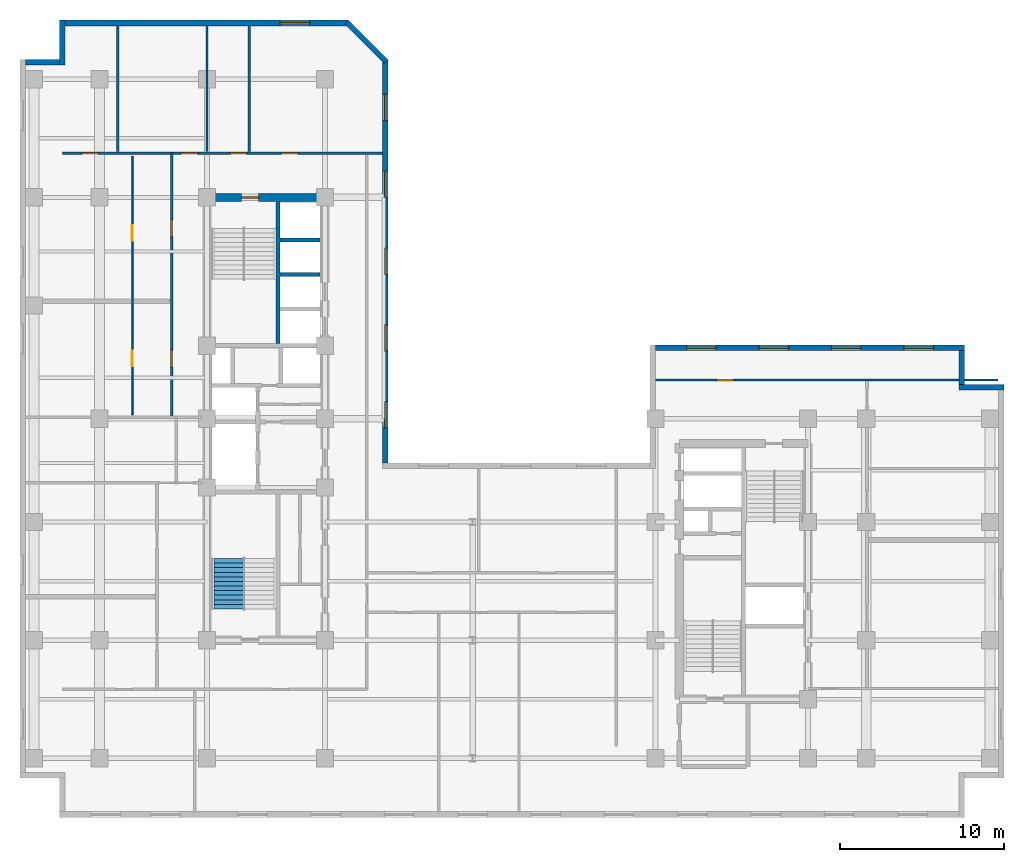
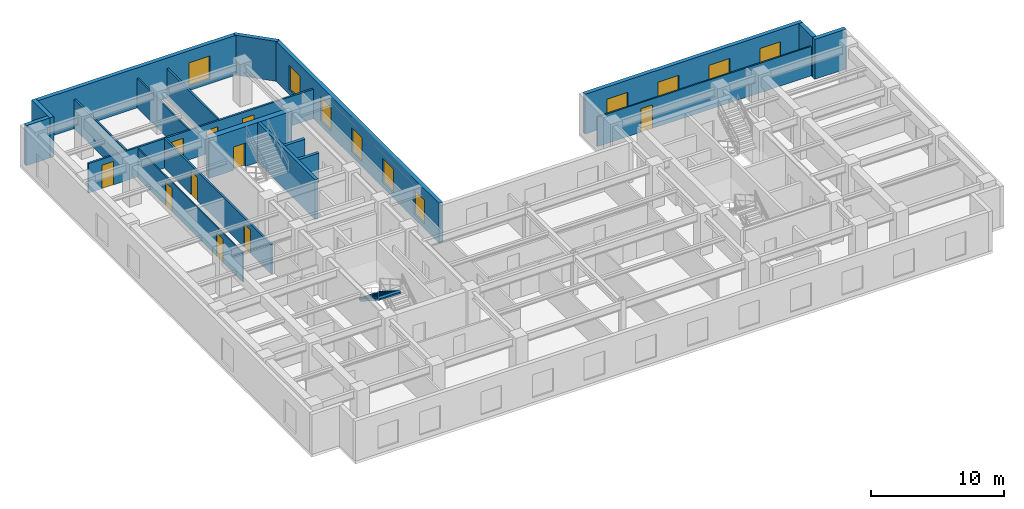
# One storey, part 6 of 10: 19 walls, 10 doors, 10 windows, 1 stair flight, 20 openings, 1 element without a shape of its own.
"""IFC4 building model written with IfcOpenShell, lengths in metres."""

from ifc_helpers import new_model, entity, si_unit, converted_unit, direction, frame, origin_with_axes, origin_2d_with_axis, place, context, subcontext, project, spatial, polyline, rectangle, outline, extrude, material, layer, layer_set, type_object, element, fill, aggregate, save


model = new_model("IFC4")

# Units and contexts
model_context = context("Model", 3, precision=1e-05, world=origin_with_axes(), true_north=direction((0.0, 1.0)))
body_context = subcontext(model_context, "Body", "Model", "MODEL_VIEW")
ifc_project = project(units=[si_unit("LENGTHUNIT", "METRE"), si_unit("AREAUNIT", "SQUARE_METRE"), si_unit("VOLUMEUNIT", "CUBIC_METRE"), converted_unit("PLANEANGLEUNIT", "DEGREE", entity("IfcPlaneAngleMeasure", 0.017453292519943295), si_unit("PLANEANGLEUNIT", "RADIAN"), dimensions=[0, 0, 0, 0, 0, 0, 0]), si_unit("MASSUNIT", "GRAM", prefix="KILO"), si_unit("THERMODYNAMICTEMPERATUREUNIT", "KELVIN")], contexts=[model_context])

# Site, building, storey
site_placement = place(None, origin_with_axes())
site = spatial("IfcSite", under=ifc_project, at=site_placement, CompositionType="ELEMENT")
building_placement = place(site_placement, origin_with_axes())
building = spatial("IfcBuilding", under=site, at=building_placement, Name="Varnlund Millrace Tower", CompositionType="ELEMENT")
storey_placement = place(building_placement, frame((0.0, 0.0, 148.5), z_axis=(0.0, 0.0, 1.0), x_axis=(1.0, 0.0, 0.0)))
storey = spatial("IfcBuildingStorey", under=building, at=storey_placement, Name="L36", CompositionType="ELEMENT", Elevation=148.5)

# Wall, opening, door
ifc_material_1 = material(Name="Concrete C70/85", Category="concrete")
ifc_layer_1 = layer(ifc_material_1, 0.5, Name="Concrete C70/85")
ifc_layer_set_1 = layer_set([ifc_layer_1], Name="Concrete C70/85")
wall_type_1 = type_object("IfcWallType", Name="Type-CoreWall-Shear-500-C70", PredefinedType="SHEAR", material=ifc_layer_set_1)
wall_1_placement = place(storey_placement, frame((11.4, 37.8, 0.0), z_axis=(0.0, 0.0, 1.0), x_axis=(1.0, 0.0, 0.0)))
wall_1 = element("IfcWall", 1, at=wall_1_placement, inside=storey, type_object=wall_type_1, Name="Type-CoreWall-Shear-500-C70", PredefinedType="SHEAR", context=body_context, shape_type="SweptSolid", body=[
    extrude(outline(polyline([(0.0, -0.25), (7.2, -0.25), (7.2, 0.25), (0.0, 0.25), (0.0, -0.25)])), origin_with_axes(), (0.0, 0.0, 1.0), 3.66),
])
opening_1_placement = place(wall_1_placement, frame((2.625, 0.0, 0.0), z_axis=(0.0, 0.0, 1.0), x_axis=(1.0, 0.0, 0.0)))
opening_1 = element("IfcOpeningElement", 2, at=opening_1_placement, cuts=wall_1, Name="Opening L36:DR-STA2", PredefinedType="OPENING", context=body_context, shape_type="SweptSolid", body=[
    extrude(rectangle(XDim=1.05, YDim=0.52, at=origin_2d_with_axis()), origin_with_axes(), (0.0, 0.0, 1.0), 2.15),
])
ifc_material_2 = material(Name="Fire-rated hollow steel door", Category="steel")
door_type_1 = type_object("IfcDoorType", Name="Type-FireDoor-Stair-1050X2150", OperationType="NOTDEFINED", PredefinedType="DOOR", material=ifc_material_2)
door_1_placement = place(wall_1_placement, frame((2.625, 0.0, 0.0), z_axis=(0.0, 0.0, 1.0), x_axis=(1.0, 0.0, 0.0)))
door_1 = element("IfcDoor", 3, at=door_1_placement, inside=storey, type_object=door_type_1, Name="Type-FireDoor-Stair-1050X2150", OperationType="SINGLE_SWING_RIGHT", OverallHeight=2.15, OverallWidth=1.05, PredefinedType="DOOR", context=body_context, shape_type="SweptSolid", body=[
    extrude(rectangle(XDim=1.05, YDim=0.09, at=origin_2d_with_axis()), origin_with_axes(), (0.0, 0.0, 1.0), 2.15),
])
fill(opening_1, door_1)

# Wall, openings, windows
ifc_material_3 = material(Name="Precast concrete C50/60", Category="concrete")
ifc_layer_2 = layer(ifc_material_3, 0.34, Name="Precast concrete C50/60")
ifc_layer_set_2 = layer_set([ifc_layer_2], Name="Precast concrete C50/60")
wall_type_2 = type_object("IfcWallType", Name="Type-ExtWall-Precast-Upper-340", PredefinedType="SOLIDWALL", material=ifc_layer_set_2)
wall_2_placement = place(storey_placement, frame((38.74, 28.63, 0.0), z_axis=(0.0, 0.0, 1.0), x_axis=(1.0, 0.0, 0.0)))
wall_2 = element("IfcWall", 4, at=wall_2_placement, inside=storey, type_object=wall_type_2, Name="Type-ExtWall-Precast-Upper-340", PredefinedType="SOLIDWALL", context=body_context, shape_type="SweptSolid", body=[
    extrude(outline(polyline([(0.0, -0.17), (18.86, -0.17), (18.86, 0.17), (0.0, 0.17), (0.0, -0.17)])), origin_with_axes(), (0.0, 0.0, 1.0), 3.66),
])
opening_2_placement = place(wall_2_placement, frame((2.808, 0.0, 0.45), z_axis=(0.0, 0.0, 1.0), x_axis=(1.0, 0.0, 0.0)))
opening_2 = element("IfcOpeningElement", 5, at=opening_2_placement, cuts=wall_2, Name="Opening L36:WN-01", PredefinedType="OPENING", context=body_context, shape_type="SweptSolid", body=[
    extrude(rectangle(XDim=1.8, YDim=0.36, at=origin_2d_with_axis()), origin_with_axes(), (0.0, 0.0, 1.0), 2.1),
])
opening_3_placement = place(wall_2_placement, frame((7.222, 0.0, 0.45), z_axis=(0.0, 0.0, 1.0), x_axis=(1.0, 0.0, 0.0)))
opening_3 = element("IfcOpeningElement", 6, at=opening_3_placement, cuts=wall_2, Name="Opening L36:WN-02", PredefinedType="OPENING", context=body_context, shape_type="SweptSolid", body=[
    extrude(rectangle(XDim=1.8, YDim=0.36, at=origin_2d_with_axis()), origin_with_axes(), (0.0, 0.0, 1.0), 2.1),
])
opening_4_placement = place(wall_2_placement, frame((11.637, 0.0, 0.45), z_axis=(0.0, 0.0, 1.0), x_axis=(1.0, 0.0, 0.0)))
opening_4 = element("IfcOpeningElement", 7, at=opening_4_placement, cuts=wall_2, Name="Opening L36:WN-03", PredefinedType="OPENING", context=body_context, shape_type="SweptSolid", body=[
    extrude(rectangle(XDim=1.8, YDim=0.36, at=origin_2d_with_axis()), origin_with_axes(), (0.0, 0.0, 1.0), 2.1),
])
opening_5_placement = place(wall_2_placement, frame((16.053, 0.0, 0.45), z_axis=(0.0, 0.0, 1.0), x_axis=(1.0, 0.0, 0.0)))
opening_5 = element("IfcOpeningElement", 8, at=opening_5_placement, cuts=wall_2, Name="Opening L36:WN-04", PredefinedType="OPENING", context=body_context, shape_type="SweptSolid", body=[
    extrude(rectangle(XDim=1.8, YDim=0.36, at=origin_2d_with_axis()), origin_with_axes(), (0.0, 0.0, 1.0), 2.1),
])
ifc_material_4 = material(Name="Argon low-e triple glazing in thermally broken bronze frame", Category="glass")
window_type_1 = type_object("IfcWindowType", Name="Type-Window-Punched-1800X2100", PartitioningType="SINGLE_PANEL", PredefinedType="WINDOW", material=ifc_material_4)
window_1_placement = place(wall_2_placement, frame((2.808, 0.0, 0.45), z_axis=(0.0, 0.0, 1.0), x_axis=(1.0, 0.0, 0.0)))
window_1 = element("IfcWindow", 9, at=window_1_placement, inside=storey, type_object=window_type_1, Name="Type-Window-Punched-1800X2100", OverallHeight=2.1, OverallWidth=1.8, PredefinedType="WINDOW", context=body_context, shape_type="SweptSolid", body=[
    extrude(rectangle(XDim=1.8, YDim=0.09, at=origin_2d_with_axis()), origin_with_axes(), (0.0, 0.0, 1.0), 2.1),
])
fill(opening_2, window_1)
window_2_placement = place(wall_2_placement, frame((7.222, 0.0, 0.45), z_axis=(0.0, 0.0, 1.0), x_axis=(1.0, 0.0, 0.0)))
window_2 = element("IfcWindow", 10, at=window_2_placement, inside=storey, type_object=window_type_1, Name="Type-Window-Punched-1800X2100", OverallHeight=2.1, OverallWidth=1.8, PredefinedType="WINDOW", context=body_context, shape_type="SweptSolid", body=[
    extrude(rectangle(XDim=1.8, YDim=0.09, at=origin_2d_with_axis()), origin_with_axes(), (0.0, 0.0, 1.0), 2.1),
])
fill(opening_3, window_2)
window_3_placement = place(wall_2_placement, frame((11.637, 0.0, 0.45), z_axis=(0.0, 0.0, 1.0), x_axis=(1.0, 0.0, 0.0)))
window_3 = element("IfcWindow", 11, at=window_3_placement, inside=storey, type_object=window_type_1, Name="Type-Window-Punched-1800X2100", OverallHeight=2.1, OverallWidth=1.8, PredefinedType="WINDOW", context=body_context, shape_type="SweptSolid", body=[
    extrude(rectangle(XDim=1.8, YDim=0.09, at=origin_2d_with_axis()), origin_with_axes(), (0.0, 0.0, 1.0), 2.1),
])
fill(opening_4, window_3)
window_4_placement = place(wall_2_placement, frame((16.053, 0.0, 0.45), z_axis=(0.0, 0.0, 1.0), x_axis=(1.0, 0.0, 0.0)))
window_4 = element("IfcWindow", 12, at=window_4_placement, inside=storey, type_object=window_type_1, Name="Type-Window-Punched-1800X2100", OverallHeight=2.1, OverallWidth=1.8, PredefinedType="WINDOW", context=body_context, shape_type="SweptSolid", body=[
    extrude(rectangle(XDim=1.8, YDim=0.09, at=origin_2d_with_axis()), origin_with_axes(), (0.0, 0.0, 1.0), 2.1),
])
fill(opening_5, window_4)

# Walls
wall_3_placement = place(storey_placement, frame((57.43, 28.46, 0.0), z_axis=(0.0, 0.0, 1.0), x_axis=(0.0, -1.0, 0.0)))
element("IfcWall", 13, at=wall_3_placement, inside=storey, type_object=wall_type_2, Name="Type-ExtWall-Precast-Upper-340", PredefinedType="SOLIDWALL", context=body_context, shape_type="SweptSolid", body=[
    extrude(outline(polyline([(0.0, -0.17), (2.06, -0.17), (2.06, 0.17), (0.0, 0.17), (0.0, -0.17)])), origin_with_axes(), (0.0, 0.0, 1.0), 3.66),
])
wall_4_placement = place(storey_placement, frame((57.26, 26.23, 0.0), z_axis=(0.0, 0.0, 1.0), x_axis=(1.0, 0.0, 0.0)))
element("IfcWall", 14, at=wall_4_placement, inside=storey, type_object=wall_type_2, Name="Type-ExtWall-Precast-Upper-340", PredefinedType="SOLIDWALL", context=body_context, shape_type="SweptSolid", body=[
    extrude(outline(polyline([(0.0, -0.17), (2.74, -0.17), (2.74, 0.17), (0.0, 0.17), (0.0, -0.17)])), origin_with_axes(), (0.0, 0.0, 1.0), 3.66),
])
wall_5_placement = place(storey_placement, frame((0.34, 46.03, 0.0), z_axis=(0.0, 0.0, 1.0), x_axis=(1.0, 0.0, 0.0)))
element("IfcWall", 15, at=wall_5_placement, inside=storey, type_object=wall_type_2, Name="Type-ExtWall-Precast-Upper-340", PredefinedType="SOLIDWALL", context=body_context, shape_type="SweptSolid", body=[
    extrude(outline(polyline([(0.0, -0.17), (2.06, -0.17), (2.06, 0.17), (0.0, 0.17), (0.0, -0.17)])), origin_with_axes(), (0.0, 0.0, 1.0), 3.66),
])
wall_6_placement = place(storey_placement, frame((2.57, 45.86, 0.0), z_axis=(0.0, 0.0, 1.0), x_axis=(0.0, 1.0, 0.0)))
element("IfcWall", 16, at=wall_6_placement, inside=storey, type_object=wall_type_2, Name="Type-ExtWall-Precast-Upper-340", PredefinedType="SOLIDWALL", context=body_context, shape_type="SweptSolid", body=[
    extrude(outline(polyline([(0.0, -0.17), (2.74, -0.17), (2.74, 0.17), (0.0, 0.17), (0.0, -0.17)])), origin_with_axes(), (0.0, 0.0, 1.0), 3.66),
])

# Wall, opening, window
wall_7_placement = place(storey_placement, frame((2.74, 48.43, 0.0), z_axis=(0.0, 0.0, 1.0), x_axis=(1.0, 0.0, 0.0)))
wall_7 = element("IfcWall", 17, at=wall_7_placement, inside=storey, type_object=wall_type_2, Name="Type-ExtWall-Precast-Upper-340", PredefinedType="SOLIDWALL", context=body_context, shape_type="SweptSolid", body=[
    extrude(outline(polyline([(0.0, -0.17), (17.301, -0.17), (17.301, 0.17), (0.0, 0.17), (0.0, -0.17)])), origin_with_axes(), (0.0, 0.0, 1.0), 3.66),
])
opening_6_placement = place(wall_7_placement, frame((14.018, 0.0, 0.45), z_axis=(0.0, 0.0, 1.0), x_axis=(1.0, 0.0, 0.0)))
opening_6 = element("IfcOpeningElement", 18, at=opening_6_placement, cuts=wall_7, Name="Opening L36:WN-24", PredefinedType="OPENING", context=body_context, shape_type="SweptSolid", body=[
    extrude(rectangle(XDim=1.8, YDim=0.36, at=origin_2d_with_axis()), origin_with_axes(), (0.0, 0.0, 1.0), 2.1),
])
window_5_placement = place(wall_7_placement, frame((14.018, 0.0, 0.45), z_axis=(0.0, 0.0, 1.0), x_axis=(1.0, 0.0, 0.0)))
window_5 = element("IfcWindow", 19, at=window_5_placement, inside=storey, type_object=window_type_1, Name="Type-Window-Punched-1800X2100", OverallHeight=2.1, OverallWidth=1.8, PredefinedType="WINDOW", context=body_context, shape_type="SweptSolid", body=[
    extrude(rectangle(XDim=1.8, YDim=0.09, at=origin_2d_with_axis()), origin_with_axes(), (0.0, 0.0, 1.0), 2.1),
])
fill(opening_6, window_5)

# Wall
wall_8_placement = place(storey_placement, frame((19.907, 48.494, 0.0), z_axis=(0.0, 0.0, 1.0), x_axis=(0.707107, -0.707107, 0.0)))
element("IfcWall", 20, at=wall_8_placement, inside=storey, type_object=wall_type_2, Name="Type-ExtWall-Precast-Upper-340", PredefinedType="SOLIDWALL", context=body_context, shape_type="SweptSolid", body=[
    extrude(outline(polyline([(0.0, -0.17), (3.413912, -0.17), (3.413912, 0.17), (0.0, 0.17), (0.0, -0.17)])), origin_with_axes(), (0.0, 0.0, 1.0), 3.66),
])

# Wall, openings, windows
wall_9_placement = place(storey_placement, frame((22.271, 46.22, 0.0), z_axis=(0.0, 0.0, 1.0), x_axis=(0.0, -1.0, 0.0)))
wall_9 = element("IfcWall", 21, at=wall_9_placement, inside=storey, type_object=wall_type_2, Name="Type-ExtWall-Precast-Upper-340", PredefinedType="SOLIDWALL", context=body_context, shape_type="SweptSolid", body=[
    extrude(outline(polyline([(0.0, -0.17), (24.62, -0.17), (24.62, 0.17), (0.0, 0.17), (0.0, -0.17)])), origin_with_axes(), (0.0, 0.0, 1.0), 3.66),
])
opening_7_placement = place(wall_9_placement, frame((2.942, 0.0, 0.45), z_axis=(0.0, 0.0, 1.0), x_axis=(1.0, 0.0, 0.0)))
opening_7 = element("IfcOpeningElement", 22, at=opening_7_placement, cuts=wall_9, Name="Opening L36:WN-25", PredefinedType="OPENING", context=body_context, shape_type="SweptSolid", body=[
    extrude(rectangle(XDim=1.6, YDim=0.36, at=origin_2d_with_axis()), origin_with_axes(), (0.0, 0.0, 1.0), 2.2),
])
opening_8_placement = place(wall_9_placement, frame((7.626, 0.0, 0.45), z_axis=(0.0, 0.0, 1.0), x_axis=(1.0, 0.0, 0.0)))
opening_8 = element("IfcOpeningElement", 23, at=opening_8_placement, cuts=wall_9, Name="Opening L36:WN-26", PredefinedType="OPENING", context=body_context, shape_type="SweptSolid", body=[
    extrude(rectangle(XDim=1.6, YDim=0.36, at=origin_2d_with_axis()), origin_with_axes(), (0.0, 0.0, 1.0), 2.2),
])
opening_9_placement = place(wall_9_placement, frame((12.31, 0.0, 0.45), z_axis=(0.0, 0.0, 1.0), x_axis=(1.0, 0.0, 0.0)))
opening_9 = element("IfcOpeningElement", 24, at=opening_9_placement, cuts=wall_9, Name="Opening L36:WN-27", PredefinedType="OPENING", context=body_context, shape_type="SweptSolid", body=[
    extrude(rectangle(XDim=1.6, YDim=0.36, at=origin_2d_with_axis()), origin_with_axes(), (0.0, 0.0, 1.0), 2.2),
])
opening_10_placement = place(wall_9_placement, frame((16.994, 0.0, 0.45), z_axis=(0.0, 0.0, 1.0), x_axis=(1.0, 0.0, 0.0)))
opening_10 = element("IfcOpeningElement", 25, at=opening_10_placement, cuts=wall_9, Name="Opening L36:WN-28", PredefinedType="OPENING", context=body_context, shape_type="SweptSolid", body=[
    extrude(rectangle(XDim=1.6, YDim=0.36, at=origin_2d_with_axis()), origin_with_axes(), (0.0, 0.0, 1.0), 2.2),
])
opening_11_placement = place(wall_9_placement, frame((21.678, 0.0, 0.45), z_axis=(0.0, 0.0, 1.0), x_axis=(1.0, 0.0, 0.0)))
opening_11 = element("IfcOpeningElement", 26, at=opening_11_placement, cuts=wall_9, Name="Opening L36:WN-29", PredefinedType="OPENING", context=body_context, shape_type="SweptSolid", body=[
    extrude(rectangle(XDim=1.6, YDim=0.36, at=origin_2d_with_axis()), origin_with_axes(), (0.0, 0.0, 1.0), 2.2),
])
window_type_2 = type_object("IfcWindowType", Name="Type-Window-Slot-1600X2200", PartitioningType="SINGLE_PANEL", PredefinedType="WINDOW", material=ifc_material_4)
window_6_placement = place(wall_9_placement, frame((2.942, 0.0, 0.45), z_axis=(0.0, 0.0, 1.0), x_axis=(1.0, 0.0, 0.0)))
window_6 = element("IfcWindow", 27, at=window_6_placement, inside=storey, type_object=window_type_2, Name="Type-Window-Slot-1600X2200", OverallHeight=2.2, OverallWidth=1.6, PredefinedType="WINDOW", context=body_context, shape_type="SweptSolid", body=[
    extrude(rectangle(XDim=1.6, YDim=0.09, at=origin_2d_with_axis()), origin_with_axes(), (0.0, 0.0, 1.0), 2.2),
])
fill(opening_7, window_6)
window_7_placement = place(wall_9_placement, frame((7.626, 0.0, 0.45), z_axis=(0.0, 0.0, 1.0), x_axis=(1.0, 0.0, 0.0)))
window_7 = element("IfcWindow", 28, at=window_7_placement, inside=storey, type_object=window_type_2, Name="Type-Window-Slot-1600X2200", OverallHeight=2.2, OverallWidth=1.6, PredefinedType="WINDOW", context=body_context, shape_type="SweptSolid", body=[
    extrude(rectangle(XDim=1.6, YDim=0.09, at=origin_2d_with_axis()), origin_with_axes(), (0.0, 0.0, 1.0), 2.2),
])
fill(opening_8, window_7)
window_8_placement = place(wall_9_placement, frame((12.31, 0.0, 0.45), z_axis=(0.0, 0.0, 1.0), x_axis=(1.0, 0.0, 0.0)))
window_8 = element("IfcWindow", 29, at=window_8_placement, inside=storey, type_object=window_type_2, Name="Type-Window-Slot-1600X2200", OverallHeight=2.2, OverallWidth=1.6, PredefinedType="WINDOW", context=body_context, shape_type="SweptSolid", body=[
    extrude(rectangle(XDim=1.6, YDim=0.09, at=origin_2d_with_axis()), origin_with_axes(), (0.0, 0.0, 1.0), 2.2),
])
fill(opening_9, window_8)
window_9_placement = place(wall_9_placement, frame((16.994, 0.0, 0.45), z_axis=(0.0, 0.0, 1.0), x_axis=(1.0, 0.0, 0.0)))
window_9 = element("IfcWindow", 30, at=window_9_placement, inside=storey, type_object=window_type_2, Name="Type-Window-Slot-1600X2200", OverallHeight=2.2, OverallWidth=1.6, PredefinedType="WINDOW", context=body_context, shape_type="SweptSolid", body=[
    extrude(rectangle(XDim=1.6, YDim=0.09, at=origin_2d_with_axis()), origin_with_axes(), (0.0, 0.0, 1.0), 2.2),
])
fill(opening_10, window_9)
window_10_placement = place(wall_9_placement, frame((21.678, 0.0, 0.45), z_axis=(0.0, 0.0, 1.0), x_axis=(1.0, 0.0, 0.0)))
window_10 = element("IfcWindow", 31, at=window_10_placement, inside=storey, type_object=window_type_2, Name="Type-Window-Slot-1600X2200", OverallHeight=2.2, OverallWidth=1.6, PredefinedType="WINDOW", context=body_context, shape_type="SweptSolid", body=[
    extrude(rectangle(XDim=1.6, YDim=0.09, at=origin_2d_with_axis()), origin_with_axes(), (0.0, 0.0, 1.0), 2.2),
])
fill(opening_11, window_10)

# Wall, openings, doors
ifc_material_5 = material(Name="Fire-rated gypsum board on cold-formed steel framing", Category="steel")
ifc_layer_3 = layer(ifc_material_5, 0.16, Name="Fire-rated gypsum board on cold-formed steel framing")
ifc_layer_set_3 = layer_set([ifc_layer_3], Name="Fire-rated gypsum board on cold-formed steel framing")
wall_type_3 = type_object("IfcWallType", Name="Type-Partition-Corridor-160", PredefinedType="PARTITIONING", material=ifc_layer_set_3)
wall_10_placement = place(storey_placement, frame((2.6, 40.5, 0.0), z_axis=(0.0, 0.0, 1.0), x_axis=(1.0, 0.0, 0.0)))
wall_10 = element("IfcWall", 32, at=wall_10_placement, inside=storey, type_object=wall_type_3, Name="Type-Partition-Corridor-160", PredefinedType="PARTITIONING", context=body_context, shape_type="SweptSolid", body=[
    extrude(outline(polyline([(0.0, -0.08), (19.506, -0.08), (19.506, 0.08), (0.0, 0.08), (0.0, -0.08)])), origin_with_axes(), (0.0, 0.0, 1.0), 2.7),
])
opening_12_placement = place(wall_10_placement, frame((1.6755, 0.0, 0.0), z_axis=(0.0, 0.0, 1.0), x_axis=(1.0, 0.0, 0.0)))
opening_12 = element("IfcOpeningElement", 33, at=opening_12_placement, cuts=wall_10, Name="Opening L36:DR-WAN-01", PredefinedType="OPENING", context=body_context, shape_type="SweptSolid", body=[
    extrude(rectangle(XDim=1.0, YDim=0.18, at=origin_2d_with_axis()), origin_with_axes(), (0.0, 0.0, 1.0), 2.15),
])
opening_13_placement = place(wall_10_placement, frame((7.731, 0.0, 0.0), z_axis=(0.0, 0.0, 1.0), x_axis=(1.0, 0.0, 0.0)))
opening_13 = element("IfcOpeningElement", 34, at=opening_13_placement, cuts=wall_10, Name="Opening L36:DR-WAN-02", PredefinedType="OPENING", context=body_context, shape_type="SweptSolid", body=[
    extrude(rectangle(XDim=1.0, YDim=0.18, at=origin_2d_with_axis()), origin_with_axes(), (0.0, 0.0, 1.0), 2.15),
])
opening_14_placement = place(wall_10_placement, frame((10.722, 0.0, 0.0), z_axis=(0.0, 0.0, 1.0), x_axis=(1.0, 0.0, 0.0)))
opening_14 = element("IfcOpeningElement", 35, at=opening_14_placement, cuts=wall_10, Name="Opening L36:DR-WAN-03", PredefinedType="OPENING", context=body_context, shape_type="SweptSolid", body=[
    extrude(rectangle(XDim=1.0, YDim=0.18, at=origin_2d_with_axis()), origin_with_axes(), (0.0, 0.0, 1.0), 2.15),
])
opening_15_placement = place(wall_10_placement, frame((13.8515, 0.0, 0.0), z_axis=(0.0, 0.0, 1.0), x_axis=(1.0, 0.0, 0.0)))
opening_15 = element("IfcOpeningElement", 36, at=opening_15_placement, cuts=wall_10, Name="Opening L36:DR-WAN-04", PredefinedType="OPENING", context=body_context, shape_type="SweptSolid", body=[
    extrude(rectangle(XDim=1.0, YDim=0.18, at=origin_2d_with_axis()), origin_with_axes(), (0.0, 0.0, 1.0), 2.15),
])
ifc_material_6 = material(Name="Solid-core white oak and bronze frame door")
door_type_2 = type_object("IfcDoorType", Name="Type-IntDoor-Office-1000X2150", OperationType="NOTDEFINED", PredefinedType="DOOR", material=ifc_material_6)
door_2_placement = place(wall_10_placement, frame((1.6755, 0.0, 0.0), z_axis=(0.0, 0.0, 1.0), x_axis=(1.0, 0.0, 0.0)))
door_2 = element("IfcDoor", 37, at=door_2_placement, inside=storey, type_object=door_type_2, Name="Type-IntDoor-Office-1000X2150", OperationType="SINGLE_SWING_LEFT", OverallHeight=2.15, OverallWidth=1.0, PredefinedType="DOOR", context=body_context, shape_type="SweptSolid", body=[
    extrude(rectangle(XDim=1.0, YDim=0.09, at=origin_2d_with_axis()), origin_with_axes(), (0.0, 0.0, 1.0), 2.15),
])
fill(opening_12, door_2)
door_3_placement = place(wall_10_placement, frame((7.731, 0.0, 0.0), z_axis=(0.0, 0.0, 1.0), x_axis=(1.0, 0.0, 0.0)))
door_3 = element("IfcDoor", 38, at=door_3_placement, inside=storey, type_object=door_type_2, Name="Type-IntDoor-Office-1000X2150", OperationType="SINGLE_SWING_RIGHT", OverallHeight=2.15, OverallWidth=1.0, PredefinedType="DOOR", context=body_context, shape_type="SweptSolid", body=[
    extrude(rectangle(XDim=1.0, YDim=0.09, at=origin_2d_with_axis()), origin_with_axes(), (0.0, 0.0, 1.0), 2.15),
])
fill(opening_13, door_3)
door_4_placement = place(wall_10_placement, frame((10.722, 0.0, 0.0), z_axis=(0.0, 0.0, 1.0), x_axis=(1.0, 0.0, 0.0)))
door_4 = element("IfcDoor", 39, at=door_4_placement, inside=storey, type_object=door_type_2, Name="Type-IntDoor-Office-1000X2150", OperationType="SINGLE_SWING_LEFT", OverallHeight=2.15, OverallWidth=1.0, PredefinedType="DOOR", context=body_context, shape_type="SweptSolid", body=[
    extrude(rectangle(XDim=1.0, YDim=0.09, at=origin_2d_with_axis()), origin_with_axes(), (0.0, 0.0, 1.0), 2.15),
])
fill(opening_14, door_4)
door_5_placement = place(wall_10_placement, frame((13.8515, 0.0, 0.0), z_axis=(0.0, 0.0, 1.0), x_axis=(1.0, 0.0, 0.0)))
door_5 = element("IfcDoor", 40, at=door_5_placement, inside=storey, type_object=door_type_2, Name="Type-IntDoor-Office-1000X2150", OperationType="SINGLE_SWING_RIGHT", OverallHeight=2.15, OverallWidth=1.0, PredefinedType="DOOR", context=body_context, shape_type="SweptSolid", body=[
    extrude(rectangle(XDim=1.0, YDim=0.09, at=origin_2d_with_axis()), origin_with_axes(), (0.0, 0.0, 1.0), 2.15),
])
fill(opening_15, door_5)

wall_11_placement = place(storey_placement, frame((9.25, 24.4, 0.0), z_axis=(0.0, 0.0, 1.0), x_axis=(0.0, 1.0, 0.0)))
wall_11 = element("IfcWall", 41, at=wall_11_placement, inside=storey, type_object=wall_type_3, Name="Type-Partition-Corridor-160", PredefinedType="PARTITIONING", context=body_context, shape_type="SweptSolid", body=[
    extrude(outline(polyline([(0.0, -0.08), (16.1, -0.08), (16.1, 0.08), (0.0, 0.08), (0.0, -0.08)])), origin_with_axes(), (0.0, 0.0, 1.0), 2.7),
])
opening_16_placement = place(wall_11_placement, frame((3.5675, 0.0, 0.0), z_axis=(0.0, 0.0, 1.0), x_axis=(1.0, 0.0, 0.0)))
opening_16 = element("IfcOpeningElement", 42, at=opening_16_placement, cuts=wall_11, Name="Opening L36:DR-WN-01", PredefinedType="OPENING", context=body_context, shape_type="SweptSolid", body=[
    extrude(rectangle(XDim=1.0, YDim=0.18, at=origin_2d_with_axis()), origin_with_axes(), (0.0, 0.0, 1.0), 2.15),
])
opening_17_placement = place(wall_11_placement, frame((11.5125, 0.0, 0.0), z_axis=(0.0, 0.0, 1.0), x_axis=(1.0, 0.0, 0.0)))
opening_17 = element("IfcOpeningElement", 43, at=opening_17_placement, cuts=wall_11, Name="Opening L36:DR-WN-02", PredefinedType="OPENING", context=body_context, shape_type="SweptSolid", body=[
    extrude(rectangle(XDim=1.0, YDim=0.18, at=origin_2d_with_axis()), origin_with_axes(), (0.0, 0.0, 1.0), 2.15),
])
door_6_placement = place(wall_11_placement, frame((3.5675, 0.0, 0.0), z_axis=(0.0, 0.0, 1.0), x_axis=(1.0, 0.0, 0.0)))
door_6 = element("IfcDoor", 44, at=door_6_placement, inside=storey, type_object=door_type_2, Name="Type-IntDoor-Office-1000X2150", OperationType="SINGLE_SWING_LEFT", OverallHeight=2.15, OverallWidth=1.0, PredefinedType="DOOR", context=body_context, shape_type="SweptSolid", body=[
    extrude(rectangle(XDim=1.0, YDim=0.09, at=origin_2d_with_axis()), origin_with_axes(), (0.0, 0.0, 1.0), 2.15),
])
fill(opening_16, door_6)
door_7_placement = place(wall_11_placement, frame((11.5125, 0.0, 0.0), z_axis=(0.0, 0.0, 1.0), x_axis=(1.0, 0.0, 0.0)))
door_7 = element("IfcDoor", 45, at=door_7_placement, inside=storey, type_object=door_type_2, Name="Type-IntDoor-Office-1000X2150", OperationType="SINGLE_SWING_RIGHT", OverallHeight=2.15, OverallWidth=1.0, PredefinedType="DOOR", context=body_context, shape_type="SweptSolid", body=[
    extrude(rectangle(XDim=1.0, YDim=0.09, at=origin_2d_with_axis()), origin_with_axes(), (0.0, 0.0, 1.0), 2.15),
])
fill(opening_17, door_7)

# Walls
ifc_material_7 = material(Name="Acoustic STC-50 gypsum board partition", Category="gypsum")
ifc_layer_4 = layer(ifc_material_7, 0.15, Name="Acoustic STC-50 gypsum board partition")
ifc_layer_set_4 = layer_set([ifc_layer_4], Name="Acoustic STC-50 gypsum board partition")
wall_type_4 = type_object("IfcWallType", Name="Type-Partition-Demising-150", PredefinedType="PARTITIONING", material=ifc_layer_set_4)
for number, where, z_axis, x_axis, name in (
    (46, (5.961, 40.6, 0.0), (0.0, 0.0, 1.0), (0.0, 1.0, 0.0), "Type-Partition-Demising-150"),
    (47, (13.992, 40.6, 0.0), (0.0, 0.0, 1.0), (0.0, 1.0, 0.0), "Type-Partition-Demising-150"),
):
    element("IfcWall", number, at=place(storey_placement, frame(where, z_axis=z_axis, x_axis=x_axis)), inside=storey, type_object=wall_type_4, Name=name, PredefinedType="PARTITIONING", context=body_context, shape_type="SweptSolid", body=[
        extrude(outline(polyline([(0.0, -0.075), (7.665, -0.075), (7.665, 0.075), (0.0, 0.075), (0.0, -0.075)])), origin_with_axes(), (0.0, 0.0, 1.0), 2.7),
    ])

# Wall, openings, doors
ifc_material_8 = material(Name="Architectural bronze and acoustic glass office front", Category="glass")
ifc_layer_5 = layer(ifc_material_8, 0.1, Name="Architectural bronze and acoustic glass office front")
ifc_layer_set_5 = layer_set([ifc_layer_5], Name="Architectural bronze and acoustic glass office front")
wall_type_5 = type_object("IfcWallType", Name="Type-Partition-Glazed-100", PredefinedType="PARTITIONING", material=ifc_layer_set_5)
wall_12_placement = place(storey_placement, frame((6.85, 24.55, 0.0), z_axis=(0.0, 0.0, 1.0), x_axis=(0.0, 1.0, 0.0)))
wall_12 = element("IfcWall", 48, at=wall_12_placement, inside=storey, type_object=wall_type_5, Name="Type-Partition-Glazed-100", PredefinedType="PARTITIONING", context=body_context, shape_type="SweptSolid", body=[
    extrude(outline(polyline([(0.0, -0.05), (15.75, -0.05), (15.75, 0.05), (0.0, 0.05), (0.0, -0.05)])), origin_with_axes(), (0.0, 0.0, 1.0), 2.7),
])
opening_18_placement = place(wall_12_placement, frame((3.4175, 0.0, 0.0), z_axis=(0.0, 0.0, 1.0), x_axis=(1.0, 0.0, 0.0)))
opening_18 = element("IfcOpeningElement", 49, at=opening_18_placement, cuts=wall_12, Name="Opening L36:DR-WN-S01", PredefinedType="OPENING", context=body_context, shape_type="SweptSolid", body=[
    extrude(rectangle(XDim=0.95, YDim=0.12, at=origin_2d_with_axis()), origin_with_axes(), (0.0, 0.0, 1.0), 2.15),
])
opening_19_placement = place(wall_12_placement, frame((11.082, 0.0, 0.0), z_axis=(0.0, 0.0, 1.0), x_axis=(1.0, 0.0, 0.0)))
opening_19 = element("IfcOpeningElement", 50, at=opening_19_placement, cuts=wall_12, Name="Opening L36:DR-WN-S02", PredefinedType="OPENING", context=body_context, shape_type="SweptSolid", body=[
    extrude(rectangle(XDim=0.95, YDim=0.12, at=origin_2d_with_axis()), origin_with_axes(), (0.0, 0.0, 1.0), 2.15),
])
ifc_material_9 = material(Name="Solid-core acoustic office door")
door_type_3 = type_object("IfcDoorType", Name="Type-IntDoor-Tenant-950X2150", OperationType="NOTDEFINED", PredefinedType="DOOR", material=ifc_material_9)
door_8_placement = place(wall_12_placement, frame((3.4175, 0.0, 0.0), z_axis=(0.0, 0.0, 1.0), x_axis=(1.0, 0.0, 0.0)))
door_8 = element("IfcDoor", 51, at=door_8_placement, inside=storey, type_object=door_type_3, Name="Type-IntDoor-Tenant-950X2150", OperationType="SINGLE_SWING_LEFT", OverallHeight=2.15, OverallWidth=0.95, PredefinedType="DOOR", context=body_context, shape_type="SweptSolid", body=[
    extrude(rectangle(XDim=0.95, YDim=0.06, at=origin_2d_with_axis()), origin_with_axes(), (0.0, 0.0, 1.0), 2.15),
])
fill(opening_18, door_8)
door_9_placement = place(wall_12_placement, frame((11.082, 0.0, 0.0), z_axis=(0.0, 0.0, 1.0), x_axis=(1.0, 0.0, 0.0)))
door_9 = element("IfcDoor", 52, at=door_9_placement, inside=storey, type_object=door_type_3, Name="Type-IntDoor-Tenant-950X2150", OperationType="SINGLE_SWING_LEFT", OverallHeight=2.15, OverallWidth=0.95, PredefinedType="DOOR", context=body_context, shape_type="SweptSolid", body=[
    extrude(rectangle(XDim=0.95, YDim=0.06, at=origin_2d_with_axis()), origin_with_axes(), (0.0, 0.0, 1.0), 2.15),
])
fill(opening_19, door_9)

# Wall
ifc_material_10 = material(Name="Gypsum board tenant partition", Category="gypsum")
ifc_layer_6 = layer(ifc_material_10, 0.125, Name="Gypsum board tenant partition")
ifc_layer_set_6 = layer_set([ifc_layer_6], Name="Gypsum board tenant partition")
wall_type_6 = type_object("IfcWallType", Name="Type-Partition-Tenant-125", PredefinedType="PARTITIONING", material=ifc_layer_set_6)
wall_13_placement = place(storey_placement, frame((11.4, 40.6, 0.0), z_axis=(0.0, 0.0, 1.0), x_axis=(0.0, 1.0, 0.0)))
element("IfcWall", 53, at=wall_13_placement, inside=storey, type_object=wall_type_6, Name="Type-Partition-Tenant-125", PredefinedType="PARTITIONING", context=body_context, shape_type="SweptSolid", body=[
    extrude(outline(polyline([(0.0, -0.0625), (7.665, -0.0625), (7.665, 0.0625), (0.0, 0.0625), (0.0, -0.0625)])), origin_with_axes(), (0.0, 0.0, 1.0), 2.7),
])

# Wall, opening, door
wall_14_placement = place(storey_placement, frame((38.735, 26.65, 0.0), z_axis=(0.0, 0.0, 1.0), x_axis=(1.0, 0.0, 0.0)))
wall_14 = element("IfcWall", 54, at=wall_14_placement, inside=storey, type_object=wall_type_6, Name="Type-Partition-Tenant-125", PredefinedType="PARTITIONING", context=body_context, shape_type="SweptSolid", body=[
    extrude(outline(polyline([(0.0, -0.0625), (20.905, -0.0625), (20.905, 0.0625), (0.0, 0.0625), (0.0, -0.0625)])), origin_with_axes(), (0.0, 0.0, 1.0), 2.7),
])
opening_20_placement = place(wall_14_placement, frame((4.265, 0.0, 0.0), z_axis=(0.0, 0.0, 1.0), x_axis=(1.0, 0.0, 0.0)))
opening_20 = element("IfcOpeningElement", 55, at=opening_20_placement, cuts=wall_14, Name="Opening L36:DR-WBN-01", PredefinedType="OPENING", context=body_context, shape_type="SweptSolid", body=[
    extrude(rectangle(XDim=1.0, YDim=0.145, at=origin_2d_with_axis()), origin_with_axes(), (0.0, 0.0, 1.0), 2.15),
])
door_10_placement = place(wall_14_placement, frame((4.265, 0.0, 0.0), z_axis=(0.0, 0.0, 1.0), x_axis=(1.0, 0.0, 0.0)))
door_10 = element("IfcDoor", 56, at=door_10_placement, inside=storey, type_object=door_type_2, Name="Type-IntDoor-Office-1000X2150", OperationType="SINGLE_SWING_RIGHT", OverallHeight=2.15, OverallWidth=1.0, PredefinedType="DOOR", context=body_context, shape_type="SweptSolid", body=[
    extrude(rectangle(XDim=1.0, YDim=0.075, at=origin_2d_with_axis()), origin_with_axes(), (0.0, 0.0, 1.0), 2.15),
])
fill(opening_20, door_10)

# Walls
ifc_material_11 = material(Name="Concrete C60/75", Category="concrete")
ifc_layer_7 = layer(ifc_material_11, 0.25, Name="Concrete C60/75")
ifc_layer_set_7 = layer_set([ifc_layer_7], Name="Concrete C60/75")
wall_type_7 = type_object("IfcWallType", Name="Type-ShaftWall-Fire-250", PredefinedType="SOLIDWALL", material=ifc_layer_set_7)
for number, where, z_axis, x_axis, name in (
    (57, (15.84, 33.1, 0.0), (0.0, 0.0, 1.0), (1.0, 0.0, 0.0), "Type-ShaftWall-Fire-250"),
    (58, (15.84, 35.2, 0.0), (0.0, 0.0, 1.0), (1.0, 0.0, 0.0), "Type-ShaftWall-Fire-250"),
):
    element("IfcWall", number, at=place(storey_placement, frame(where, z_axis=z_axis, x_axis=x_axis)), inside=storey, type_object=wall_type_7, Name=name, PredefinedType="SOLIDWALL", context=body_context, shape_type="SweptSolid", body=[
        extrude(outline(polyline([(0.0, -0.125), (2.46, -0.125), (2.46, 0.125), (0.0, 0.125), (0.0, -0.125)])), origin_with_axes(), (0.0, 0.0, 1.0), 2.7),
    ])
wall_type_8 = type_object("IfcWallType", Name="Type-StairWall-Shear-250", PredefinedType="SHEAR", material=ifc_layer_set_7)
wall_15_placement = place(storey_placement, frame((15.725, 28.9, 0.0), z_axis=(0.0, 0.0, 1.0), x_axis=(0.0, 1.0, 0.0)))
element("IfcWall", 59, at=wall_15_placement, inside=storey, type_object=wall_type_8, Name="Type-StairWall-Shear-250", PredefinedType="SHEAR", context=body_context, shape_type="SweptSolid", body=[
    extrude(outline(polyline([(0.0, -0.125), (8.65, -0.125), (8.65, 0.125), (0.0, 0.125), (0.0, -0.125)])), origin_with_axes(), (0.0, 0.0, 1.0), 3.66),
])

# Stair, stair flight
ifc_material_12 = material(Name="Concrete C50/60", Category="concrete")
stair_type = type_object("IfcStairType", Name="Type-Stair-Dogleg-185-390", PredefinedType="HALF_TURN_STAIR", material=ifc_material_12)
stair_placement = place(storey_placement, origin_with_axes())
stair = element("IfcStair", 60, at=stair_placement, inside=storey, type_object=stair_type, Name="Type-Stair-Dogleg-185-390", PredefinedType="HALF_TURN_STAIR")
stair_flight_type = type_object("IfcStairFlightType", Name="Type-Dogleg-Run-185-390", PredefinedType="STRAIGHT", material=ifc_material_3)
stair_flight_placement = place(storey_placement, frame((13.675, 15.78, 1.95), z_axis=(-1.0, 0.0, 0.0), x_axis=(0.0, -1.0, 0.0)))
stair_flight = element("IfcStairFlight", 61, at=stair_flight_placement, type_object=stair_flight_type, Name="ST-A1 flight 2", NumberOfRisers=11, NumberOfTreads=11, PredefinedType="STRAIGHT", RiserHeight=0.177273, TreadLength=0.28, context=body_context, shape_type="SweptSolid", body=[
    extrude(outline(polyline([(0.0, 0.0), (0.0, 0.177273), (0.28, 0.177273), (0.28, 0.354545), (0.56, 0.354545), (0.56, 0.531818), (0.84, 0.531818), (0.84, 0.709091), (1.12, 0.709091), (1.12, 0.886364), (1.4, 0.886364), (1.4, 1.063636), (1.68, 1.063636), (1.68, 1.240909), (1.96, 1.240909), (1.96, 1.418182), (2.24, 1.418182), (2.24, 1.595454), (2.52, 1.595454), (2.52, 1.772727), (2.8, 1.772727), (2.8, 1.95), (3.08, 1.95), (3.08, 1.8), (0.28, 0.0), (0.0, 0.0)])), origin_with_axes(), (0.0, 0.0, 1.0), 1.85),
])
aggregate(stair, [stair_flight])

save(model, "model.ifc")
